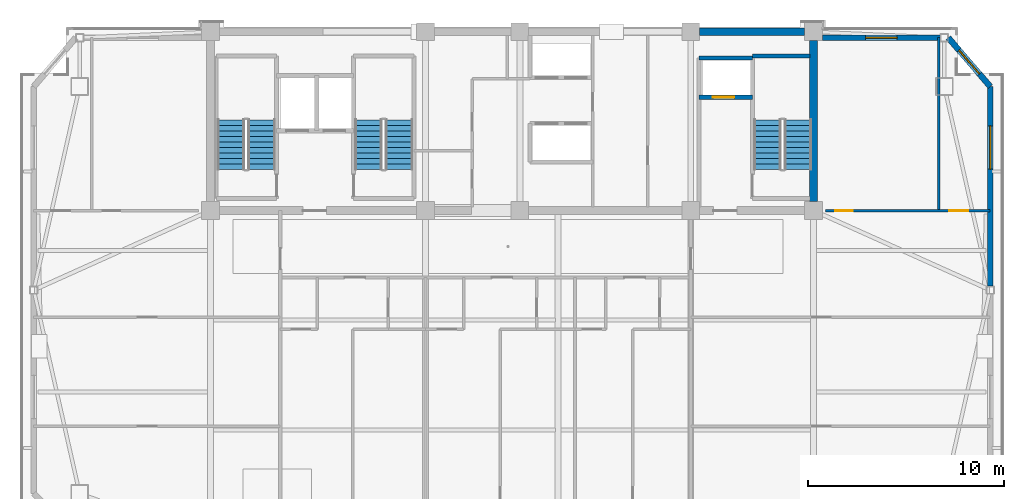
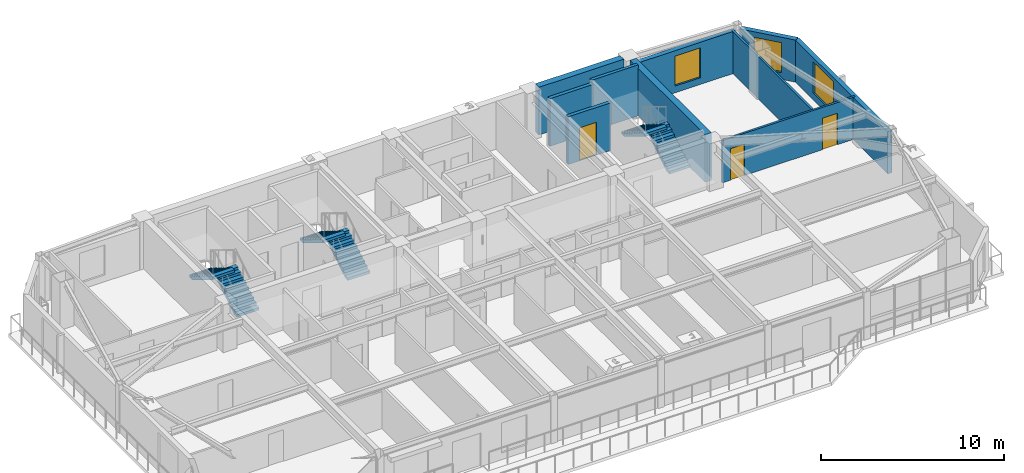
# One storey, part 9 of 14: 10 walls, 6 stair flights, 3 doors, 3 windows, 6 openings, 3 elements without a shape of their own.
"""IFC4 building model written with IfcOpenShell, lengths in metres."""

from ifc_helpers import new_model, si_unit, direction, frame, frame_2d, origin, place, context, subcontext, project, spatial, polyline, rectangle, outline, extrude, source, transform, mapped, material, layer, layer_set, type_object, element, fill, aggregate, save


model = new_model("IFC4")

# Units and contexts
model_context = context("Model", 3, precision=1e-05, world=origin(), true_north=direction((0.0, 1.0)))
body_context = subcontext(model_context, "Body", "Model", "MODEL_VIEW")
ifc_project = project(units=[si_unit("LENGTHUNIT", "METRE"), si_unit("AREAUNIT", "SQUARE_METRE"), si_unit("VOLUMEUNIT", "CUBIC_METRE"), si_unit("PLANEANGLEUNIT", "RADIAN"), si_unit("MASSUNIT", "GRAM", prefix="KILO")], contexts=[model_context])

# Site, building, storey
site_placement = place(None, origin())
site = spatial("IfcSite", under=ifc_project, at=site_placement, CompositionType="ELEMENT")
building_placement = place(site_placement, origin())
building = spatial("IfcBuilding", under=site, at=building_placement, Name="Giltprow Tower", CompositionType="ELEMENT")
storey_placement = place(building_placement, frame((0.0, 0.0, 317.60009765625)))
storey = spatial("IfcBuildingStorey", under=building, at=storey_placement, Name="L82", CompositionType="ELEMENT", Elevation=317.60009765625)

# Wall, opening, window
ifc_material_1 = material(Name="Precast concrete C40", Category="concrete")
ifc_layer_1 = layer(ifc_material_1, 0.300048828125, Name="Precast concrete C40")
ifc_layer_set_1 = layer_set([ifc_layer_1], Name="Precast concrete C40")
wall_type_1 = type_object("IfcWallType", Name="EW-NOTCH-CHAMFER-300", PredefinedType="SOLIDWALL", material=ifc_layer_set_1)
wall_1_placement = place(storey_placement, frame((59.5458984375, 43.761962890625, 0.0), z_axis=(0.0, 0.0, 1.0), x_axis=(-0.65172861611, 0.758452246977, 0.0)))
wall_1 = element("IfcWall", 1, at=wall_1_placement, inside=storey, type_object=wall_type_1, Name="L82 Corner Notch Wall NE", PredefinedType="SOLIDWALL", context=body_context, shape_type="SweptSolid", body=[
    extrude(rectangle(XDim=3.280517578125, YDim=0.300048828125, at=frame_2d((1.64013671875, 0.0))), origin(), (0.0, 0.0, 1.0), 2.81494140625),
])
opening_1_placement = place(wall_1_placement, frame((0.840087890625, 0.0, 0.449951171875)))
opening_1 = element("IfcOpeningElement", 2, at=opening_1_placement, cuts=wall_1, Name="Opening WN17", PredefinedType="OPENING", context=body_context, shape_type="SweptSolid", body=[
    extrude(rectangle(XDim=1.60009765625, YDim=2.0, at=frame_2d((0.800048828125, 1.0))), frame((0.0, 0.159912109375, 0.0), z_axis=(0.0, -1.0, 0.0), x_axis=(1.0, 0.0, 0.0)), (0.0, 0.0, 1.0), 0.320068359375),
])
ifc_material_2 = material(Name="Insulated glass", Category="glass")
window_type_1 = type_object("IfcWindowType", Name="WN-COR-1600x2000", PartitioningType="SINGLE_PANEL", PredefinedType="WINDOW", material=ifc_material_2)
shared_shape_1 = source(origin(), body_context, "Body", "SweptSolid", [
    extrude(rectangle(XDim=1.60009765625, YDim=2.0, at=frame_2d((0.800048828125, 1.0))), frame((0.0, 0.030029296875, 0.0), z_axis=(0.0, -1.0, 0.0), x_axis=(1.0, 0.0, 0.0)), (0.0, 0.0, 1.0), 0.06005859375),
])
window_1_placement = place(opening_1_placement, origin())
window_1 = element("IfcWindow", 3, at=window_1_placement, inside=storey, type_object=window_type_1, Name="L82 Corner Notch Window NE", OverallHeight=2.0, OverallWidth=1.60009765625, PartitioningType="SINGLE_PANEL", PredefinedType="WINDOW", context=body_context, shape_type="MappedRepresentation", body=[
    mapped(shared_shape_1, transform((0.0, 0.0, 0.0), x_axis=(1.0, 0.0, 0.0), y_axis=(0.0, 1.0, 0.0), z_axis=(0.0, 0.0, 1.0), scale=1.0)),
])
fill(opening_1, window_1)

ifc_layer_2 = layer(ifc_material_1, 0.280029296875, Name="Precast concrete C40")
ifc_layer_set_2 = layer_set([ifc_layer_2], Name="Precast concrete C40")
wall_type_2 = type_object("IfcWallType", Name="EW-TOW-BRONZE-280", PredefinedType="SOLIDWALL", material=ifc_layer_set_2)
wall_2_placement = place(storey_placement, frame((59.5458984375, 33.60205078125, 0.0), z_axis=(0.0, 0.0, 1.0), x_axis=(0.0, 1.0, 0.0)))
wall_2 = element("IfcWall", 4, at=wall_2_placement, inside=storey, type_object=wall_type_2, Name="L82 E Wing Masonry Wall 2", PredefinedType="SOLIDWALL", context=body_context, shape_type="SweptSolid", body=[
    extrude(rectangle(XDim=10.159912109375, YDim=0.280029296875, at=frame_2d((5.080078125, 0.0))), origin(), (0.0, 0.0, 1.0), 2.81494140625),
])
opening_2_placement = place(wall_2_placement, frame((5.955078125, 0.0, 0.449951171875)))
opening_2 = element("IfcOpeningElement", 5, at=opening_2_placement, cuts=wall_2, Name="Opening WN27", PredefinedType="OPENING", context=body_context, shape_type="SweptSolid", body=[
    extrude(rectangle(XDim=2.199951171875, YDim=2.10009765625, at=frame_2d((1.10009765625, 1.050048828125))), frame((0.0, 0.14990234375, 0.0), z_axis=(0.0, -1.0, 0.0), x_axis=(1.0, 0.0, 0.0)), (0.0, 0.0, 1.0), 0.300048828125),
])
window_type_2 = type_object("IfcWindowType", Name="WN-RES-2200x2100", PartitioningType="TRIPLE_PANEL_VERTICAL", PredefinedType="WINDOW", material=ifc_material_2)
shared_shape_2 = source(origin(), body_context, "Body", "SweptSolid", [
    extrude(rectangle(XDim=2.199951171875, YDim=2.10009765625, at=frame_2d((1.10009765625, 1.050048828125))), frame((0.0, 0.030029296875, 0.0), z_axis=(0.0, -1.0, 0.0), x_axis=(1.0, 0.0, 0.0)), (0.0, 0.0, 1.0), 0.06005859375),
])
window_2_placement = place(opening_2_placement, origin())
window_2 = element("IfcWindow", 6, at=window_2_placement, inside=storey, type_object=window_type_2, Name="L82 E Wing Window 2-1", OverallHeight=2.10009765625, OverallWidth=2.199951171875, PartitioningType="SINGLE_PANEL", PredefinedType="WINDOW", context=body_context, shape_type="MappedRepresentation", body=[
    mapped(shared_shape_2, transform((0.0, 0.0, 0.0), x_axis=(1.0, 0.0, 0.0), y_axis=(0.0, 1.0, 0.0), z_axis=(0.0, 0.0, 1.0), scale=1.0)),
])
fill(opening_2, window_2)

wall_3_placement = place(storey_placement, frame((51.0, 46.25, 0.0), z_axis=(0.0, 0.0, 1.0), x_axis=(1.0, 0.0, 0.0)))
wall_3 = element("IfcWall", 7, at=wall_3_placement, inside=storey, type_object=wall_type_2, Name="L82 North-East Wing Wall", PredefinedType="SOLIDWALL", context=body_context, shape_type="SweptSolid", body=[
    extrude(rectangle(XDim=6.008056640625, YDim=0.280029296875, at=frame_2d((3.00390625, 0.0))), origin(), (0.0, 0.0, 1.0), 2.81494140625),
])
opening_3_placement = place(wall_3_placement, frame((2.2041015625, 0.0, 0.449951171875)))
opening_3 = element("IfcOpeningElement", 8, at=opening_3_placement, cuts=wall_3, Name="Opening WN17", PredefinedType="OPENING", context=body_context, shape_type="SweptSolid", body=[
    extrude(rectangle(XDim=1.60009765625, YDim=2.0, at=frame_2d((0.800048828125, 1.0))), frame((0.0, 0.14990234375, 0.0), z_axis=(0.0, -1.0, 0.0), x_axis=(1.0, 0.0, 0.0)), (0.0, 0.0, 1.0), 0.300048828125),
])
window_3_placement = place(opening_3_placement, origin())
window_3 = element("IfcWindow", 9, at=window_3_placement, inside=storey, type_object=window_type_1, Name="L82 North-East Window", OverallHeight=2.0, OverallWidth=1.60009765625, PartitioningType="SINGLE_PANEL", PredefinedType="WINDOW", context=body_context, shape_type="MappedRepresentation", body=[
    mapped(shared_shape_1, transform((0.0, 0.0, 0.0), x_axis=(1.0, 0.0, 0.0), y_axis=(0.0, 1.0, 0.0), z_axis=(0.0, 0.0, 1.0), scale=1.0)),
])
fill(opening_3, window_3)

# Wall, opening, door
ifc_material_3 = material(Name="Concrete C40", Category="concrete")
ifc_layer_3 = layer(ifc_material_3, 0.219970703125, Name="Concrete C40")
ifc_layer_set_3 = layer_set([ifc_layer_3], Name="Concrete C40")
wall_type_3 = type_object("IfcWallType", Name="IW-SHAFT-220", PredefinedType="SOLIDWALL", material=ifc_layer_set_3)
wall_4_placement = place(storey_placement, frame((44.719970703125, 43.219970703125, 0.0), z_axis=(0.0, 0.0, 1.0), x_axis=(1.0, 0.0, 0.0)))
wall_4 = element("IfcWall", 10, at=wall_4_placement, inside=storey, type_object=wall_type_3, Name="L82 FFL2 Front Shaft Wall", PredefinedType="SOLIDWALL", context=body_context, shape_type="SweptSolid", body=[
    extrude(rectangle(XDim=2.719970703125, YDim=0.219970703125, at=frame_2d((1.35986328125, 0.0))), origin(), (0.0, 0.0, 1.0), 3.184814453125),
])
opening_4_placement = place(wall_4_placement, frame((0.699951171875, 0.0, 0.0)))
opening_4 = element("IfcOpeningElement", 11, at=opening_4_placement, cuts=wall_4, Name="Opening LD-11", PredefinedType="OPENING", context=body_context, shape_type="SweptSolid", body=[
    extrude(rectangle(XDim=1.10009765625, YDim=2.199951171875, at=frame_2d((0.550048828125, 1.10009765625))), frame((0.0, 0.119873046875, 0.0), z_axis=(0.0, -1.0, 0.0), x_axis=(1.0, 0.0, 0.0)), (0.0, 0.0, 1.0), 0.239990234375),
])
ifc_material_4 = material(Name="Stainless steel", Category="steel")
door_type_1 = type_object("IfcDoorType", Name="DR-LIFT-LD1100", OperationType="SLIDING_TO_LEFT", PredefinedType="DOOR", material=ifc_material_4)
shared_shape_3 = source(origin(), body_context, "Body", "SweptSolid", [
    extrude(rectangle(XDim=1.10009765625, YDim=2.199951171875, at=frame_2d((0.550048828125, 1.10009765625))), frame((0.0, 0.02490234375, 0.0), z_axis=(0.0, -1.0, 0.0), x_axis=(1.0, 0.0, 0.0)), (0.0, 0.0, 1.0), 0.050048828125),
])
door_1_placement = place(opening_4_placement, origin())
door_1 = element("IfcDoor", 12, at=door_1_placement, inside=storey, type_object=door_type_1, Name="L82 FFL2 Landing Door", OperationType="SLIDING_TO_LEFT", OverallHeight=2.199951171875, OverallWidth=1.10009765625, PredefinedType="DOOR", context=body_context, shape_type="MappedRepresentation", body=[
    mapped(shared_shape_3, transform((0.0, 0.0, 0.0), x_axis=(1.0, 0.0, 0.0), y_axis=(0.0, 1.0, 0.0), z_axis=(0.0, 0.0, 1.0), scale=1.0)),
])
fill(opening_4, door_1)

# Walls
wall_5_placement = place(storey_placement, frame((44.719970703125, 45.219970703125, 0.0), z_axis=(0.0, 0.0, 1.0), x_axis=(1.0, 0.0, 0.0)))
element("IfcWall", 13, at=wall_5_placement, inside=storey, type_object=wall_type_3, Name="L82 FFL2 Back Shaft Wall", PredefinedType="SOLIDWALL", context=body_context, shape_type="SweptSolid", body=[
    extrude(rectangle(XDim=2.719970703125, YDim=0.219970703125, at=frame_2d((1.35986328125, 0.0))), origin(), (0.0, 0.0, 1.0), 3.184814453125),
])
ifc_layer_4 = layer(ifc_material_3, 0.199951171875, Name="Concrete C40")
ifc_layer_set_4 = layer_set([ifc_layer_4], Name="Concrete C40")
wall_type_4 = type_object("IfcWallType", Name="IW-STAIR-200", PredefinedType="SOLIDWALL", material=ifc_layer_set_4)
wall_6_placement = place(storey_placement, frame((47.43994140625, 45.320068359375, 0.0), z_axis=(0.0, 0.0, 1.0), x_axis=(1.0, 0.0, 0.0)))
element("IfcWall", 14, at=wall_6_placement, inside=storey, type_object=wall_type_4, Name="L82 Stair ST-3 North Bearing Wall", PredefinedType="SOLIDWALL", context=body_context, shape_type="SweptSolid", body=[
    extrude(rectangle(XDim=2.93017578125, YDim=0.199951171875, at=frame_2d((1.465087890625, 0.0))), origin(), (0.0, 0.0, 1.0), 3.39990234375),
])

# Wall, openings, doors
ifc_material_5 = material(Name="Concrete C30", Category="concrete")
ifc_layer_5 = layer(ifc_material_5, 0.1298828125, Name="Concrete C30")
ifc_layer_set_5 = layer_set([ifc_layer_5], Name="Concrete C30")
wall_type_5 = type_object("IfcWallType", Name="IW-WET-130", PredefinedType="PARTITIONING", material=ifc_layer_set_5)
wall_7_placement = place(storey_placement, frame((51.14990234375, 37.449951171875, 0.0), z_axis=(0.0, 0.0, 1.0), x_axis=(1.0, 0.0, 0.0)))
wall_7 = element("IfcWall", 15, at=wall_7_placement, inside=storey, type_object=wall_type_5, Name="L82 NE Wing South Wall", PredefinedType="PARTITIONING", context=body_context, shape_type="SweptSolid", body=[
    extrude(rectangle(XDim=8.39599609375, YDim=0.1298828125, at=frame_2d((4.197998046875, 0.0))), origin(), (0.0, 0.0, 1.0), 2.81982421875),
])
opening_5_placement = place(wall_7_placement, frame((0.5, 0.0, 0.0)))
opening_5 = element("IfcOpeningElement", 16, at=opening_5_placement, cuts=wall_7, Name="Opening ID15", PredefinedType="OPENING", context=body_context, shape_type="SweptSolid", body=[
    extrude(rectangle(XDim=0.89990234375, YDim=2.10009765625, at=frame_2d((0.449951171875, 1.050048828125))), frame((0.0, 0.074951171875, 0.0), z_axis=(0.0, -1.0, 0.0), x_axis=(1.0, 0.0, 0.0)), (0.0, 0.0, 1.0), 0.14990234375),
])
opening_6_placement = place(wall_7_placement, frame((6.31689453125, 0.0, 0.0)))
opening_6 = element("IfcOpeningElement", 17, at=opening_6_placement, cuts=wall_7, Name="Opening ID11", PredefinedType="OPENING", context=body_context, shape_type="SweptSolid", body=[
    extrude(rectangle(XDim=0.949951171875, YDim=2.10009765625, at=frame_2d((0.47509765625, 1.050048828125))), frame((0.0, 0.074951171875, 0.0), z_axis=(0.0, -1.0, 0.0), x_axis=(1.0, 0.0, 0.0)), (0.0, 0.0, 1.0), 0.14990234375),
])
ifc_material_6 = material(Name="Engineered timber", Category="wood")
door_type_2 = type_object("IfcDoorType", Name="DR-WC-900", OperationType="SINGLE_SWING_LEFT", PredefinedType="DOOR", material=ifc_material_6)
shared_shape_4 = source(origin(), body_context, "Body", "SweptSolid", [
    extrude(rectangle(XDim=0.89990234375, YDim=2.10009765625, at=frame_2d((0.449951171875, 1.050048828125))), frame((0.0, 0.02490234375, 0.0), z_axis=(0.0, -1.0, 0.0), x_axis=(1.0, 0.0, 0.0)), (0.0, 0.0, 1.0), 0.050048828125),
])
door_2_placement = place(opening_5_placement, origin())
door_2 = element("IfcDoor", 18, at=door_2_placement, inside=storey, type_object=door_type_2, Name="L82 East Wing Washroom Door", OperationType="SINGLE_SWING_RIGHT", OverallHeight=2.10009765625, OverallWidth=0.89990234375, PredefinedType="DOOR", context=body_context, shape_type="MappedRepresentation", body=[
    mapped(shared_shape_4, transform((0.0, 0.0, 0.0), x_axis=(1.0, 0.0, 0.0), y_axis=(0.0, 1.0, 0.0), z_axis=(0.0, 0.0, 1.0), scale=1.0)),
])
fill(opening_5, door_2)
door_type_3 = type_object("IfcDoorType", Name="DR-ROOM-950", OperationType="SINGLE_SWING_RIGHT", PredefinedType="DOOR", material=ifc_material_6)
shared_shape_5 = source(origin(), body_context, "Body", "SweptSolid", [
    extrude(rectangle(XDim=0.949951171875, YDim=2.10009765625, at=frame_2d((0.47509765625, 1.050048828125))), frame((0.0, 0.02490234375, 0.0), z_axis=(0.0, -1.0, 0.0), x_axis=(1.0, 0.0, 0.0)), (0.0, 0.0, 1.0), 0.050048828125),
])
door_3_placement = place(opening_6_placement, origin())
door_3 = element("IfcDoor", 19, at=door_3_placement, inside=storey, type_object=door_type_3, Name="L82 Residents Reading Lounge Door", OperationType="SINGLE_SWING_RIGHT", OverallHeight=2.10009765625, OverallWidth=0.949951171875, PredefinedType="DOOR", context=body_context, shape_type="MappedRepresentation", body=[
    mapped(shared_shape_5, transform((0.0, 0.0, 0.0), x_axis=(1.0, 0.0, 0.0), y_axis=(0.0, 1.0, 0.0), z_axis=(0.0, 0.0, 1.0), scale=1.0)),
])
fill(opening_6, door_3)

# Walls
wall_8_placement = place(storey_placement, frame((56.9169921875, 37.449951171875, 0.0), z_axis=(0.0, 0.0, 1.0), x_axis=(0.0, 1.0, 0.0)))
element("IfcWall", 20, at=wall_8_placement, inside=storey, type_object=wall_type_5, Name="L82 NE Wing Divider", PredefinedType="PARTITIONING", context=body_context, shape_type="SweptSolid", body=[
    extrude(rectangle(XDim=8.800048828125, YDim=0.1298828125, at=frame_2d((4.39990234375, 0.0))), origin(), (0.0, 0.0, 1.0), 2.81982421875),
])
ifc_material_7 = material(Name="Concrete C45", Category="concrete")
ifc_layer_6 = layer(ifc_material_7, 0.39990234375, Name="Concrete C45")
ifc_layer_set_6 = layer_set([ifc_layer_6], Name="Concrete C45")
wall_type_6 = type_object("IfcWallType", Name="SW-EXT-400-C45", PredefinedType="SHEAR", material=ifc_layer_set_6)
wall_9_placement = place(storey_placement, frame((44.75, 46.550048828125, 0.0), z_axis=(0.0, 0.0, 1.0), x_axis=(1.0, 0.0, 0.0)))
element("IfcWall", 21, at=wall_9_placement, inside=storey, type_object=wall_type_6, Name="L82 North Rear Core Shear Wall 4", PredefinedType="SHEAR", context=body_context, shape_type="SweptSolid", body=[
    extrude(rectangle(XDim=5.35009765625, YDim=0.39990234375, at=frame_2d((2.675048828125, 0.0))), origin(), (0.0, 0.0, 1.0), 3.184814453125),
])
ifc_layer_7 = layer(ifc_material_7, 0.39990234375, Name="Concrete C45")
ifc_layer_set_7 = layer_set([ifc_layer_7], Name="Concrete C45")
wall_type_7 = type_object("IfcWallType", Name="SW-INT-400-C45", PredefinedType="SHEAR", material=ifc_layer_set_7)
wall_10_placement = place(storey_placement, frame((50.550048828125, 37.89990234375, 0.0), z_axis=(0.0, 0.0, 1.0), x_axis=(0.0, 1.0, 0.0)))
element("IfcWall", 22, at=wall_10_placement, inside=storey, type_object=wall_type_7, Name="L82 E Rear Core Shear Wall", PredefinedType="SHEAR", context=body_context, shape_type="SweptSolid", body=[
    extrude(rectangle(XDim=8.2001953125, YDim=0.39990234375, at=frame_2d((4.10009765625, 0.0))), origin(), (0.0, 0.0, 1.0), 3.184814453125),
])

# Stair, stair flights
stair_type_1 = type_object("IfcStairType", Name="STR-ST-1", PredefinedType="HALF_TURN_STAIR", material=ifc_material_3)
stair_1_placement = place(storey_placement, origin())
stair_1 = element("IfcStair", 23, at=stair_1_placement, inside=storey, type_object=stair_type_1, Name="L82 Core Exit Stair ST-1", PredefinedType="HALF_TURN_STAIR")
stair_flight_type_1 = type_object("IfcStairFlightType", Name="SFL-ST-1", PredefinedType="STRAIGHT", material=ifc_material_3)
stair_flight_1_placement = place(storey_placement, frame((22.4599609375, 39.550048828125, 0.0), z_axis=(0.0, 0.0, 1.0), x_axis=(0.0, 1.0, 0.0)))
stair_flight_1 = element("IfcStairFlight", 24, at=stair_flight_1_placement, type_object=stair_flight_type_1, Name="ST-1 flight 1", NumberOfRisers=10, NumberOfTreads=9, PredefinedType="STRAIGHT", RiserHeight=0.17, TreadLength=0.28, context=body_context, shape_type="SweptSolid", body=[
    extrude(outline(polyline([(0.0, 0.0), (0.0, 0.169921875), (0.280029296875, 0.169921875), (0.280029296875, 0.340087890625), (0.56005859375, 0.340087890625), (0.56005859375, 0.510009765625), (0.840087890625, 0.510009765625), (0.840087890625, 0.679931640625), (1.1201171875, 0.679931640625), (1.1201171875, 0.85009765625), (1.39990234375, 0.85009765625), (1.39990234375, 1.02001953125), (1.679931640625, 1.02001953125), (1.679931640625, 1.18994140625), (1.9599609375, 1.18994140625), (1.9599609375, 1.360107421875), (2.239990234375, 1.360107421875), (2.239990234375, 1.530029296875), (2.52001953125, 1.530029296875), (2.52001953125, 1.699951171875), (2.52001953125, 1.354736328125), (0.288818359375, 0.0), (0.0, 0.0)])), frame((0.0, 0.699951171875, 0.0), z_axis=(0.0, -1.0, 0.0), x_axis=(1.0, 0.0, 0.0)), (0.0, 0.0, 1.0), 1.39990234375),
])
stair_flight_2_placement = place(storey_placement, frame((20.89990234375, 42.070068359375, 1.699951171875), z_axis=(0.0, 0.0, 1.0), x_axis=(0.0, -1.0, 0.0)))
stair_flight_2 = element("IfcStairFlight", 25, at=stair_flight_2_placement, type_object=stair_flight_type_1, Name="ST-1 flight 2", NumberOfRisers=10, NumberOfTreads=9, PredefinedType="STRAIGHT", RiserHeight=0.17, TreadLength=0.28, context=body_context, shape_type="SweptSolid", body=[
    extrude(outline(polyline([(0.0, 0.0), (0.0, 0.169921875), (0.280029296875, 0.169921875), (0.280029296875, 0.340087890625), (0.56005859375, 0.340087890625), (0.56005859375, 0.510009765625), (0.840087890625, 0.510009765625), (0.840087890625, 0.679931640625), (1.1201171875, 0.679931640625), (1.1201171875, 0.85009765625), (1.39990234375, 0.85009765625), (1.39990234375, 1.02001953125), (1.679931640625, 1.02001953125), (1.679931640625, 1.18994140625), (1.9599609375, 1.18994140625), (1.9599609375, 1.360107421875), (2.239990234375, 1.360107421875), (2.239990234375, 1.530029296875), (2.52001953125, 1.530029296875), (2.52001953125, 1.699951171875), (2.52001953125, 1.354736328125), (0.288818359375, 0.0), (0.0, 0.0)])), frame((0.0, 0.699951171875, 0.0), z_axis=(0.0, -1.0, 0.0), x_axis=(1.0, 0.0, 0.0)), (0.0, 0.0, 1.0), 1.39990234375),
])
aggregate(stair_1, [stair_flight_1, stair_flight_2])

stair_type_2 = type_object("IfcStairType", Name="STR-ST-2", PredefinedType="HALF_TURN_STAIR", material=ifc_material_3)
stair_2_placement = place(storey_placement, origin())
stair_2 = element("IfcStair", 26, at=stair_2_placement, inside=storey, type_object=stair_type_2, Name="L82 Core Exit Stair ST-2", PredefinedType="HALF_TURN_STAIR")
stair_flight_type_2 = type_object("IfcStairFlightType", Name="SFL-ST-2", PredefinedType="STRAIGHT", material=ifc_material_3)
stair_flight_3_placement = place(storey_placement, frame((29.4599609375, 39.550048828125, 0.0), z_axis=(0.0, 0.0, 1.0), x_axis=(0.0, 1.0, 0.0)))
stair_flight_3 = element("IfcStairFlight", 27, at=stair_flight_3_placement, type_object=stair_flight_type_2, Name="ST-2 flight 1", NumberOfRisers=10, NumberOfTreads=9, PredefinedType="STRAIGHT", RiserHeight=0.17, TreadLength=0.28, context=body_context, shape_type="SweptSolid", body=[
    extrude(outline(polyline([(0.0, 0.0), (0.0, 0.169921875), (0.280029296875, 0.169921875), (0.280029296875, 0.340087890625), (0.56005859375, 0.340087890625), (0.56005859375, 0.510009765625), (0.840087890625, 0.510009765625), (0.840087890625, 0.679931640625), (1.1201171875, 0.679931640625), (1.1201171875, 0.85009765625), (1.39990234375, 0.85009765625), (1.39990234375, 1.02001953125), (1.679931640625, 1.02001953125), (1.679931640625, 1.18994140625), (1.9599609375, 1.18994140625), (1.9599609375, 1.360107421875), (2.239990234375, 1.360107421875), (2.239990234375, 1.530029296875), (2.52001953125, 1.530029296875), (2.52001953125, 1.699951171875), (2.52001953125, 1.354736328125), (0.288818359375, 0.0), (0.0, 0.0)])), frame((0.0, 0.699951171875, 0.0), z_axis=(0.0, -1.0, 0.0), x_axis=(1.0, 0.0, 0.0)), (0.0, 0.0, 1.0), 1.39990234375),
])
stair_flight_4_placement = place(storey_placement, frame((27.89990234375, 42.070068359375, 1.699951171875), z_axis=(0.0, 0.0, 1.0), x_axis=(0.0, -1.0, 0.0)))
stair_flight_4 = element("IfcStairFlight", 28, at=stair_flight_4_placement, type_object=stair_flight_type_2, Name="ST-2 flight 2", NumberOfRisers=10, NumberOfTreads=9, PredefinedType="STRAIGHT", RiserHeight=0.17, TreadLength=0.28, context=body_context, shape_type="SweptSolid", body=[
    extrude(outline(polyline([(0.0, 0.0), (0.0, 0.169921875), (0.280029296875, 0.169921875), (0.280029296875, 0.340087890625), (0.56005859375, 0.340087890625), (0.56005859375, 0.510009765625), (0.840087890625, 0.510009765625), (0.840087890625, 0.679931640625), (1.1201171875, 0.679931640625), (1.1201171875, 0.85009765625), (1.39990234375, 0.85009765625), (1.39990234375, 1.02001953125), (1.679931640625, 1.02001953125), (1.679931640625, 1.18994140625), (1.9599609375, 1.18994140625), (1.9599609375, 1.360107421875), (2.239990234375, 1.360107421875), (2.239990234375, 1.530029296875), (2.52001953125, 1.530029296875), (2.52001953125, 1.699951171875), (2.52001953125, 1.354736328125), (0.288818359375, 0.0), (0.0, 0.0)])), frame((0.0, 0.699951171875, 0.0), z_axis=(0.0, -1.0, 0.0), x_axis=(1.0, 0.0, 0.0)), (0.0, 0.0, 1.0), 1.39990234375),
])
aggregate(stair_2, [stair_flight_3, stair_flight_4])

stair_type_3 = type_object("IfcStairType", Name="STR-ST-3", PredefinedType="HALF_TURN_STAIR", material=ifc_material_3)
stair_3_placement = place(storey_placement, origin())
stair_3 = element("IfcStair", 29, at=stair_3_placement, inside=storey, type_object=stair_type_3, Name="L82 Core Exit Stair ST-3", PredefinedType="HALF_TURN_STAIR")
stair_flight_type_3 = type_object("IfcStairFlightType", Name="SFL-ST-3", PredefinedType="STRAIGHT", material=ifc_material_3)
stair_flight_5_placement = place(storey_placement, frame((49.760009765625, 39.550048828125, 0.0), z_axis=(0.0, 0.0, 1.0), x_axis=(0.0, 1.0, 0.0)))
stair_flight_5 = element("IfcStairFlight", 30, at=stair_flight_5_placement, type_object=stair_flight_type_3, Name="ST-3 flight 1", NumberOfRisers=10, NumberOfTreads=9, PredefinedType="STRAIGHT", RiserHeight=0.17, TreadLength=0.28, context=body_context, shape_type="SweptSolid", body=[
    extrude(outline(polyline([(0.0, 0.0), (0.0, 0.169921875), (0.280029296875, 0.169921875), (0.280029296875, 0.340087890625), (0.56005859375, 0.340087890625), (0.56005859375, 0.510009765625), (0.840087890625, 0.510009765625), (0.840087890625, 0.679931640625), (1.1201171875, 0.679931640625), (1.1201171875, 0.85009765625), (1.39990234375, 0.85009765625), (1.39990234375, 1.02001953125), (1.679931640625, 1.02001953125), (1.679931640625, 1.18994140625), (1.9599609375, 1.18994140625), (1.9599609375, 1.360107421875), (2.239990234375, 1.360107421875), (2.239990234375, 1.530029296875), (2.52001953125, 1.530029296875), (2.52001953125, 1.699951171875), (2.52001953125, 1.354736328125), (0.288818359375, 0.0), (0.0, 0.0)])), frame((0.0, 0.699951171875, 0.0), z_axis=(0.0, -1.0, 0.0), x_axis=(1.0, 0.0, 0.0)), (0.0, 0.0, 1.0), 1.39990234375),
])
stair_flight_6_placement = place(storey_placement, frame((48.199951171875, 42.070068359375, 1.699951171875), z_axis=(0.0, 0.0, 1.0), x_axis=(0.0, -1.0, 0.0)))
stair_flight_6 = element("IfcStairFlight", 31, at=stair_flight_6_placement, type_object=stair_flight_type_3, Name="ST-3 flight 2", NumberOfRisers=10, NumberOfTreads=9, PredefinedType="STRAIGHT", RiserHeight=0.17, TreadLength=0.28, context=body_context, shape_type="SweptSolid", body=[
    extrude(outline(polyline([(0.0, 0.0), (0.0, 0.169921875), (0.280029296875, 0.169921875), (0.280029296875, 0.340087890625), (0.56005859375, 0.340087890625), (0.56005859375, 0.510009765625), (0.840087890625, 0.510009765625), (0.840087890625, 0.679931640625), (1.1201171875, 0.679931640625), (1.1201171875, 0.85009765625), (1.39990234375, 0.85009765625), (1.39990234375, 1.02001953125), (1.679931640625, 1.02001953125), (1.679931640625, 1.18994140625), (1.9599609375, 1.18994140625), (1.9599609375, 1.360107421875), (2.239990234375, 1.360107421875), (2.239990234375, 1.530029296875), (2.52001953125, 1.530029296875), (2.52001953125, 1.699951171875), (2.52001953125, 1.354736328125), (0.288818359375, 0.0), (0.0, 0.0)])), frame((0.0, 0.699951171875, 0.0), z_axis=(0.0, -1.0, 0.0), x_axis=(1.0, 0.0, 0.0)), (0.0, 0.0, 1.0), 1.39990234375),
])
aggregate(stair_3, [stair_flight_5, stair_flight_6])

save(model, "model.ifc")
